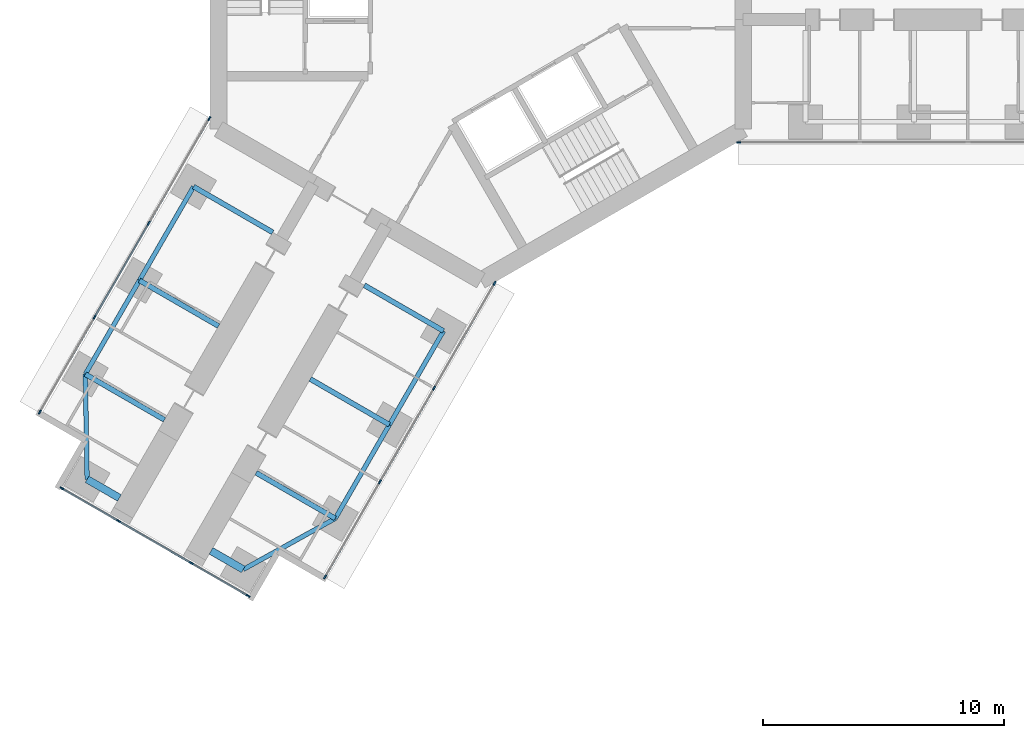
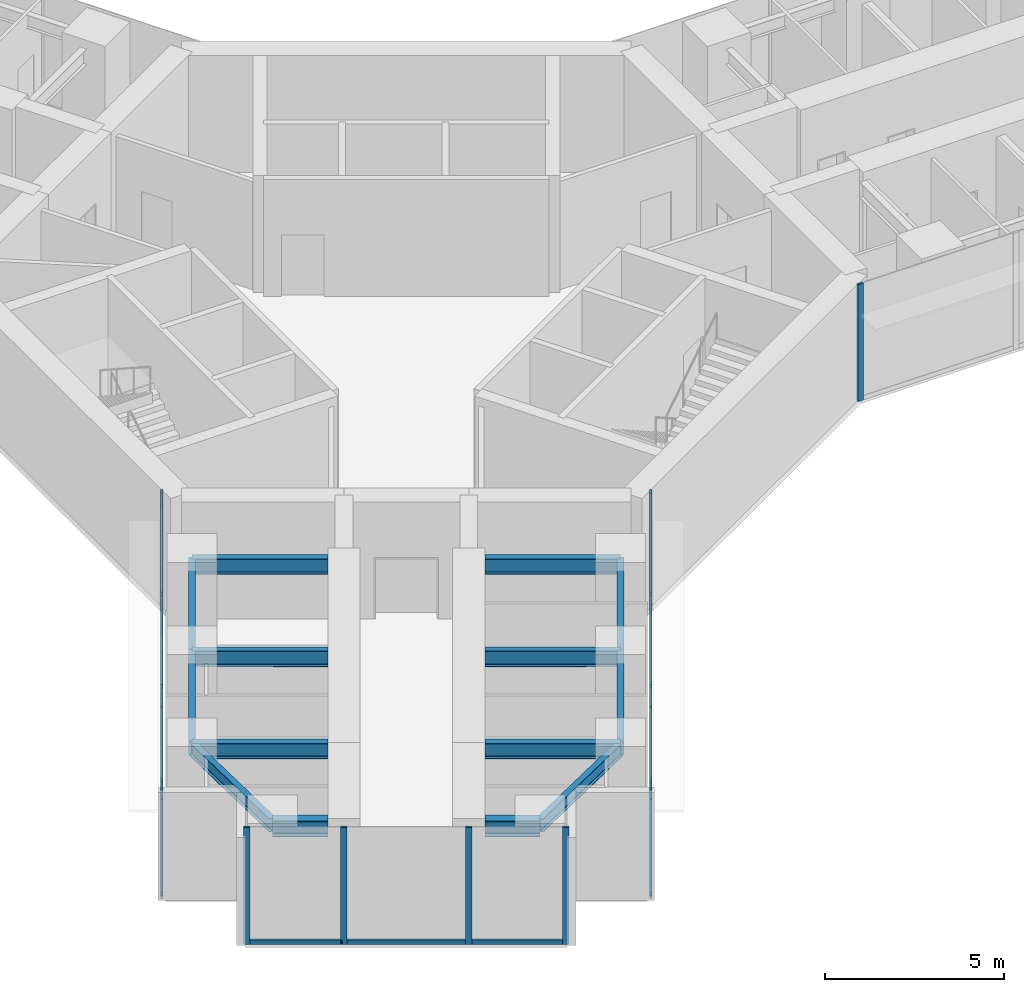
# One storey, part 2 of 25: 22 members, 14 beams, 4 elements without a shape of their own.
"""IFC4 building model written with IfcOpenShell, lengths in metres."""

from ifc_helpers import new_model, si_unit, direction, frame, origin, origin_2d, place, context, subcontext, project, spatial, rectangle, i_section, extrude, material, material_profile, profile_set, type_object, element, aggregate, save


model = new_model("IFC4")

# Units and contexts
model_context = context("Model", 3, precision=1e-05, world=origin(), true_north=direction((0.0, 1.0)))
body_context = subcontext(model_context, "Body", "Model", "MODEL_VIEW")
ifc_project = project(units=[si_unit("LENGTHUNIT", "METRE"), si_unit("AREAUNIT", "SQUARE_METRE"), si_unit("VOLUMEUNIT", "CUBIC_METRE"), si_unit("PLANEANGLEUNIT", "RADIAN"), si_unit("MASSUNIT", "GRAM", prefix="KILO")], contexts=[model_context])

# Site, building, storey
site_placement = place(None, origin())
site = spatial("IfcSite", under=ifc_project, at=site_placement, CompositionType="ELEMENT")
building_placement = place(site_placement, origin())
building = spatial("IfcBuilding", under=site, at=building_placement, Name="Upepo Twin Towers", CompositionType="ELEMENT")
storey_placement = place(building_placement, frame((0.0, 0.0, 88.5)))
storey = spatial("IfcBuildingStorey", under=building, at=storey_placement, Name="L21", CompositionType="ELEMENT", Elevation=88.5)

# Beams
ifc_material_1 = material(Name="Steel S355", Category="steel")
ifc_material_profile_1 = material_profile(ifc_material_1, i_section(OverallWidth=0.1904296875, OverallDepth=0.45703125, WebThickness=0.009033203125, FlangeThickness=0.014404296875, FilletRadius=0.01025390625, at=origin_2d()), Name="UB 457x191x74")
ifc_profile_set_1 = profile_set([ifc_material_profile_1], Name="Steel S355")
beam_type_1 = type_object("IfcBeamType", Name="Beam UB 457x191x74", PredefinedType="BEAM", material=ifc_profile_set_1)
beam_1_placement = place(storey_placement, frame((-1.553955078125, -14.69140625, 3.471435546875), z_axis=(-0.500013631625, -0.866017533419, 0.0), x_axis=(0.866017533419, -0.500013631625, 0.0)))
element("IfcBeam", 1, at=beam_1_placement, inside=storey, type_object=beam_type_1, Name="T1 edge beam CL 13.5-18.0", PredefinedType="BEAM", context=body_context, shape_type="SweptSolid", body=[
    extrude(i_section(OverallWidth=0.1904296875, OverallDepth=0.45703125, WebThickness=0.009033203125, FlangeThickness=0.014404296875, FilletRadius=0.01025390625, at=origin_2d()), origin(), (0.0, 0.0, 1.0), 4.499755859375),
])
beam_2_placement = place(storey_placement, frame((-3.803955078125, -18.58837890625, 3.471435546875), z_axis=(-0.499990139034, -0.866031096941, 0.0), x_axis=(0.866031096941, -0.499990139034, 0.0)))
element("IfcBeam", 2, at=beam_2_placement, inside=storey, type_object=beam_type_1, Name="T1 edge beam CL 18.0-22.5", PredefinedType="BEAM", context=body_context, shape_type="SweptSolid", body=[
    extrude(i_section(OverallWidth=0.1904296875, OverallDepth=0.45703125, WebThickness=0.009033203125, FlangeThickness=0.014404296875, FilletRadius=0.01025390625, at=origin_2d()), origin(), (0.0, 0.0, 1.0), 4.5),
])
beam_3_placement = place(storey_placement, frame((-6.053955078125, -22.485595703125, 3.471435546875), z_axis=(-0.874312600038, -0.485363242752, 0.0), x_axis=(0.485363242752, -0.874312600038, 0.0)))
element("IfcBeam", 3, at=beam_3_placement, inside=storey, type_object=beam_type_1, Name="T1 nose edge beam CL", PredefinedType="BEAM", context=body_context, shape_type="SweptSolid", body=[
    extrude(i_section(OverallWidth=0.1904296875, OverallDepth=0.45703125, WebThickness=0.009033203125, FlangeThickness=0.014404296875, FilletRadius=0.01025390625, at=origin_2d()), origin(), (0.0, 0.0, 1.0), 4.373046875),
])
beam_4_placement = place(storey_placement, frame((-11.946044921875, -8.69140625, 3.471435546875), z_axis=(-0.500013631625, -0.866017533419, 0.0), x_axis=(0.866017533419, -0.500013631625, 0.0)))
element("IfcBeam", 4, at=beam_4_placement, inside=storey, type_object=beam_type_1, Name="T1 edge beam CR 13.5-18.0", PredefinedType="BEAM", context=body_context, shape_type="SweptSolid", body=[
    extrude(i_section(OverallWidth=0.1904296875, OverallDepth=0.45703125, WebThickness=0.009033203125, FlangeThickness=0.014404296875, FilletRadius=0.01025390625, at=origin_2d()), origin(), (0.0, 0.0, 1.0), 4.499755859375),
])
beam_5_placement = place(storey_placement, frame((-14.196044921875, -12.58837890625, 3.471435546875), z_axis=(-0.499990139034, -0.866031096941, 0.0), x_axis=(0.866031096941, -0.499990139034, 0.0)))
element("IfcBeam", 5, at=beam_5_placement, inside=storey, type_object=beam_type_1, Name="T1 edge beam CR 18.0-22.5", PredefinedType="BEAM", context=body_context, shape_type="SweptSolid", body=[
    extrude(i_section(OverallWidth=0.1904296875, OverallDepth=0.45703125, WebThickness=0.009033203125, FlangeThickness=0.014404296875, FilletRadius=0.01025390625, at=origin_2d()), origin(), (0.0, 0.0, 1.0), 4.5),
])
beam_6_placement = place(storey_placement, frame((-16.446044921875, -16.485595703125, 3.471435546875), z_axis=(0.016803880528, -0.999858804832, 0.0), x_axis=(0.999858804832, 0.016803880528, 0.0)))
element("IfcBeam", 6, at=beam_6_placement, inside=storey, type_object=beam_type_1, Name="T1 nose edge beam CR", PredefinedType="BEAM", context=body_context, shape_type="SweptSolid", body=[
    extrude(i_section(OverallWidth=0.1904296875, OverallDepth=0.45703125, WebThickness=0.009033203125, FlangeThickness=0.014404296875, FilletRadius=0.01025390625, at=origin_2d()), origin(), (0.0, 0.0, 1.0), 4.373291015625),
])
ifc_material_2 = material(Name="Steel S355", Category="steel")
ifc_material_profile_2 = material_profile(ifc_material_2, i_section(OverallWidth=0.209228515625, OverallDepth=0.533203125, WebThickness=0.010009765625, FlangeThickness=0.015625, FilletRadius=0.0126953125, at=origin_2d()), Name="UB 533x210x92")
ifc_profile_set_2 = profile_set([ifc_material_profile_2], Name="Steel S355")
beam_type_2 = type_object("IfcBeamType", Name="Beam UB 533x210x92", PredefinedType="BEAM", material=ifc_profile_set_2)
beam_7_placement = place(storey_placement, frame((-1.553955078125, -14.69140625, 3.433349609375), z_axis=(-0.866000483506, 0.500043160704, 0.0), x_axis=(-0.500043160704, -0.866000483506, 0.0)))
element("IfcBeam", 7, at=beam_7_placement, inside=storey, type_object=beam_type_2, Name="T1 girder CL at 13.5", PredefinedType="BEAM", context=body_context, shape_type="SweptSolid", body=[
    extrude(i_section(OverallWidth=0.209228515625, OverallDepth=0.533203125, WebThickness=0.010009765625, FlangeThickness=0.015625, FilletRadius=0.0126953125, at=origin_2d()), origin(), (0.0, 0.0, 1.0), 3.800048828125),
])
for number, where, z_axis, x_axis, name in (
    (8, (-3.803955078125, -18.58837890625, 3.433349609375), (-0.866028304915, 0.499994975061, 0.0), (-0.499994975061, -0.866028304915, 0.0), "T1 girder CL at 18.0"),
    (9, (-6.053955078125, -22.485595703125, 3.433349609375), (-0.866028304915, 0.499994975061, 0.0), (-0.499994975061, -0.866028304915, 0.0), "T1 girder CL at 22.5"),
    (10, (-11.946044921875, -8.69140625, 3.433349609375), (0.866028304915, -0.499994975061, 0.0), (0.499994975061, 0.866028304915, 0.0), "T1 girder CR at 13.5"),
):
    element("IfcBeam", number, at=place(storey_placement, frame(where, z_axis=z_axis, x_axis=x_axis)), inside=storey, type_object=beam_type_2, Name=name, PredefinedType="BEAM", context=body_context, shape_type="SweptSolid", body=[
        extrude(i_section(OverallWidth=0.209228515625, OverallDepth=0.533203125, WebThickness=0.010009765625, FlangeThickness=0.015625, FilletRadius=0.0126953125, at=origin_2d()), origin(), (0.0, 0.0, 1.0), 3.7998046875),
    ])
beam_8_placement = place(storey_placement, frame((-14.196044921875, -12.58837890625, 3.433349609375), z_axis=(0.866000483506, -0.500043160704, 0.0), x_axis=(0.500043160704, 0.866000483506, 0.0)))
element("IfcBeam", 11, at=beam_8_placement, inside=storey, type_object=beam_type_2, Name="T1 girder CR at 18.0", PredefinedType="BEAM", context=body_context, shape_type="SweptSolid", body=[
    extrude(i_section(OverallWidth=0.209228515625, OverallDepth=0.533203125, WebThickness=0.010009765625, FlangeThickness=0.015625, FilletRadius=0.0126953125, at=origin_2d()), origin(), (0.0, 0.0, 1.0), 3.800048828125),
])
beam_9_placement = place(storey_placement, frame((-16.446044921875, -16.485595703125, 3.433349609375), z_axis=(0.866028304915, -0.499994975061, 0.0), x_axis=(0.499994975061, 0.866028304915, 0.0)))
element("IfcBeam", 12, at=beam_9_placement, inside=storey, type_object=beam_type_2, Name="T1 girder CR at 22.5", PredefinedType="BEAM", context=body_context, shape_type="SweptSolid", body=[
    extrude(i_section(OverallWidth=0.209228515625, OverallDepth=0.533203125, WebThickness=0.010009765625, FlangeThickness=0.015625, FilletRadius=0.0126953125, at=origin_2d()), origin(), (0.0, 0.0, 1.0), 3.7998046875),
])
ifc_material_3 = material(Name="Steel S355", Category="steel")
ifc_material_profile_3 = material_profile(ifc_material_3, i_section(OverallWidth=0.31201171875, OverallDepth=0.54345703125, WebThickness=0.0126953125, FlangeThickness=0.020263671875, FilletRadius=0.0126953125, at=origin_2d()), Name="UB 533x312x150")
ifc_profile_set_3 = profile_set([ifc_material_profile_3], Name="Steel S355")
beam_type_3 = type_object("IfcBeamType", Name="Beam UB 533x312x150", PredefinedType="BEAM", material=ifc_profile_set_3)
for number, where, z_axis, x_axis, name in (
    (13, (-9.87744140625, -24.608154296875, 3.42822265625), (-0.866043940782, 0.499967891604, 0.0), (-0.499967891604, -0.866043940782, 0.0), "T1 nose beam CL"),
    (14, (-16.37255859375, -20.858154296875, 3.42822265625), (0.866043940782, -0.499967891604, 0.0), (0.499967891604, 0.866043940782, 0.0), "T1 nose beam CR"),
):
    element("IfcBeam", number, at=place(storey_placement, frame(where, z_axis=z_axis, x_axis=x_axis)), inside=storey, type_object=beam_type_3, Name=name, PredefinedType="BEAM", context=body_context, shape_type="SweptSolid", body=[
        extrude(i_section(OverallWidth=0.31201171875, OverallDepth=0.54345703125, WebThickness=0.0126953125, FlangeThickness=0.020263671875, FilletRadius=0.0126953125, at=origin_2d()), origin(), (0.0, 0.0, 1.0), 1.5498046875),
    ])

# Curtain wall, member
ifc_material_4 = material(Name="Aluminium and fritted glass", Category="aluminium")
curtain_wall_type = type_object("IfcCurtainWallType", Name="Tower curtain wall TW1, fritted glass", PredefinedType="NOTDEFINED", material=ifc_material_4)
curtain_wall_1_placement = place(storey_placement, origin())
curtain_wall_1 = element("IfcCurtainWall", 15, at=curtain_wall_1_placement, inside=storey, type_object=curtain_wall_type, Name="T1 L21 wing A flank R curtain wall", PredefinedType="NOTDEFINED")
ifc_material_5 = material(Name="Aluminium mullion", Category="aluminium")
ifc_material_profile_4 = material_profile(ifc_material_5, rectangle(XDim=0.06494140625, YDim=0.179931640625, at=origin_2d()), Name="MULLION 65x180")
ifc_profile_set_4 = profile_set([ifc_material_profile_4], Name="Aluminium mullion")
member_type_1 = type_object("IfcMemberType", Name="Mullion 65x180 TW1", PredefinedType="MULLION", material=ifc_profile_set_4)
member_1_placement = place(storey_placement, frame((10.7197265625, -6.85009765625, 0.0), z_axis=(0.0, 0.0, 1.0), x_axis=(0.0, -1.0, 0.0)))
member_1 = element("IfcMember", 16, at=member_1_placement, type_object=member_type_1, Name="T1 L21 wing A flank R curtain wall mullion 4", PredefinedType="MULLION", context=body_context, shape_type="SweptSolid", body=[
    extrude(rectangle(XDim=0.06494140625, YDim=0.179931640625, at=origin_2d()), origin(), (0.0, 0.0, 1.0), 4.0),
])
aggregate(curtain_wall_1, [member_1])

# Curtain wall, members
curtain_wall_2_placement = place(storey_placement, origin())
curtain_wall_2 = element("IfcCurtainWall", 17, at=curtain_wall_2_placement, inside=storey, type_object=curtain_wall_type, Name="T1 L21 wing C flank L curtain wall", PredefinedType="NOTDEFINED")
member_2_placement = place(storey_placement, frame((0.572509765625, -12.70849609375, 0.0), z_axis=(0.0, 0.0, 1.0), x_axis=(0.866025389682, -0.500000024426, 0.0)))
member_2 = element("IfcMember", 18, at=member_2_placement, type_object=member_type_1, Name="T1 L21 wing C flank L curtain wall mullion 1", PredefinedType="MULLION", context=body_context, shape_type="SweptSolid", body=[
    extrude(rectangle(XDim=0.06494140625, YDim=0.179931640625, at=origin_2d()), origin(), (0.0, 0.0, 1.0), 4.0),
])
member_3_placement = place(storey_placement, frame((-1.942626953125, -17.06494140625, 0.0), z_axis=(0.0, 0.0, 1.0), x_axis=(0.866025389682, -0.500000024426, 0.0)))
member_3 = element("IfcMember", 19, at=member_3_placement, type_object=member_type_1, Name="T1 L21 wing C flank L curtain wall mullion 2", PredefinedType="MULLION", context=body_context, shape_type="SweptSolid", body=[
    extrude(rectangle(XDim=0.06494140625, YDim=0.179931640625, at=origin_2d()), origin(), (0.0, 0.0, 1.0), 4.0),
])
member_4_placement = place(storey_placement, frame((-4.192626953125, -20.9619140625, 0.0), z_axis=(0.0, 0.0, 1.0), x_axis=(0.866025389682, -0.500000024426, 0.0)))
member_4 = element("IfcMember", 20, at=member_4_placement, type_object=member_type_1, Name="T1 L21 wing C flank L curtain wall mullion 3", PredefinedType="MULLION", context=body_context, shape_type="SweptSolid", body=[
    extrude(rectangle(XDim=0.06494140625, YDim=0.179931640625, at=origin_2d()), origin(), (0.0, 0.0, 1.0), 4.0),
])
member_5_placement = place(storey_placement, frame((-6.4765625, -24.91748046875, 0.0), z_axis=(0.0, 0.0, 1.0), x_axis=(0.866025389682, -0.500000024426, 0.0)))
member_5 = element("IfcMember", 21, at=member_5_placement, type_object=member_type_1, Name="T1 L21 wing C flank L curtain wall mullion 4", PredefinedType="MULLION", context=body_context, shape_type="SweptSolid", body=[
    extrude(rectangle(XDim=0.06494140625, YDim=0.179931640625, at=origin_2d()), origin(), (0.0, 0.0, 1.0), 4.0),
])

curtain_wall_3_placement = place(storey_placement, origin())
curtain_wall_3 = element("IfcCurtainWall", 22, at=curtain_wall_3_placement, inside=storey, type_object=curtain_wall_type, Name="T1 L21 wing C flank R curtain wall", PredefinedType="NOTDEFINED")
member_6_placement = place(storey_placement, frame((-18.341064453125, -18.067626953125, 0.0), z_axis=(0.0, 0.0, 1.0), x_axis=(-0.866025389682, 0.500000024426, 0.0)))
member_6 = element("IfcMember", 23, at=member_6_placement, type_object=member_type_1, Name="T1 L21 wing C flank R curtain wall mullion 1", PredefinedType="MULLION", context=body_context, shape_type="SweptSolid", body=[
    extrude(rectangle(XDim=0.06494140625, YDim=0.179931640625, at=origin_2d()), origin(), (0.0, 0.0, 1.0), 4.0),
])
member_7_placement = place(storey_placement, frame((-16.057373046875, -14.112060546875, 0.0), z_axis=(0.0, 0.0, 1.0), x_axis=(-0.866025389682, 0.500000024426, 0.0)))
member_7 = element("IfcMember", 24, at=member_7_placement, type_object=member_type_1, Name="T1 L21 wing C flank R curtain wall mullion 2", PredefinedType="MULLION", context=body_context, shape_type="SweptSolid", body=[
    extrude(rectangle(XDim=0.06494140625, YDim=0.179931640625, at=origin_2d()), origin(), (0.0, 0.0, 1.0), 4.0),
])
member_8_placement = place(storey_placement, frame((-13.807373046875, -10.21484375, 0.0), z_axis=(0.0, 0.0, 1.0), x_axis=(-0.866025389682, 0.500000024426, 0.0)))
member_8 = element("IfcMember", 25, at=member_8_placement, type_object=member_type_1, Name="T1 L21 wing C flank R curtain wall mullion 3", PredefinedType="MULLION", context=body_context, shape_type="SweptSolid", body=[
    extrude(rectangle(XDim=0.06494140625, YDim=0.179931640625, at=origin_2d()), origin(), (0.0, 0.0, 1.0), 4.0),
])
member_9_placement = place(storey_placement, frame((-11.2919921875, -5.8583984375, 0.0), z_axis=(0.0, 0.0, 1.0), x_axis=(-0.866025389682, 0.500000024426, 0.0)))
member_9 = element("IfcMember", 26, at=member_9_placement, type_object=member_type_1, Name="T1 L21 wing C flank R curtain wall mullion 4", PredefinedType="MULLION", context=body_context, shape_type="SweptSolid", body=[
    extrude(rectangle(XDim=0.06494140625, YDim=0.179931640625, at=origin_2d()), origin(), (0.0, 0.0, 1.0), 4.0),
])

curtain_wall_4_placement = place(storey_placement, origin())
curtain_wall_4 = element("IfcCurtainWall", 27, at=curtain_wall_4_placement, inside=storey, type_object=curtain_wall_type, Name="T1 L21 wing C nose curtain wall", PredefinedType="NOTDEFINED")
member_10_placement = place(storey_placement, frame((-17.4189453125, -21.235595703125, 0.0), z_axis=(0.0, 0.0, 1.0), x_axis=(0.500000030502, 0.866025386174, 0.0)))
member_10 = element("IfcMember", 28, at=member_10_placement, type_object=member_type_1, Name="T1 L21 wing C nose curtain wall mullion 1", PredefinedType="MULLION", context=body_context, shape_type="SweptSolid", body=[
    extrude(rectangle(XDim=0.06494140625, YDim=0.179931640625, at=origin_2d()), origin(), (0.0, 0.0, 1.0), 4.0),
])
member_11_placement = place(storey_placement, frame((-15.0654296875, -22.59423828125, 0.0), z_axis=(0.0, 0.0, 1.0), x_axis=(0.500000030502, 0.866025386174, 0.0)))
member_11 = element("IfcMember", 29, at=member_11_placement, type_object=member_type_1, Name="T1 L21 wing C nose curtain wall mullion 2", PredefinedType="MULLION", context=body_context, shape_type="SweptSolid", body=[
    extrude(rectangle(XDim=0.06494140625, YDim=0.179931640625, at=origin_2d()), origin(), (0.0, 0.0, 1.0), 4.0),
])
member_12_placement = place(storey_placement, frame((-12.034423828125, -24.34423828125, 0.0), z_axis=(0.0, 0.0, 1.0), x_axis=(0.500000030502, 0.866025386174, 0.0)))
member_12 = element("IfcMember", 30, at=member_12_placement, type_object=member_type_1, Name="T1 L21 wing C nose curtain wall mullion 3", PredefinedType="MULLION", context=body_context, shape_type="SweptSolid", body=[
    extrude(rectangle(XDim=0.06494140625, YDim=0.179931640625, at=origin_2d()), origin(), (0.0, 0.0, 1.0), 4.0),
])
member_13_placement = place(storey_placement, frame((-9.68115234375, -25.703125, 0.0), z_axis=(0.0, 0.0, 1.0), x_axis=(0.500000030502, 0.866025386174, 0.0)))
member_13 = element("IfcMember", 31, at=member_13_placement, type_object=member_type_1, Name="T1 L21 wing C nose curtain wall mullion 4", PredefinedType="MULLION", context=body_context, shape_type="SweptSolid", body=[
    extrude(rectangle(XDim=0.06494140625, YDim=0.179931640625, at=origin_2d()), origin(), (0.0, 0.0, 1.0), 4.0),
])

# Member
ifc_material_6 = material(Name="Aluminium transom", Category="aluminium")
ifc_material_profile_5 = material_profile(ifc_material_6, rectangle(XDim=0.06494140625, YDim=0.14990234375, at=origin_2d()), Name="TRANSOM 65x150")
ifc_profile_set_5 = profile_set([ifc_material_profile_5], Name="Aluminium transom")
member_type_2 = type_object("IfcMemberType", Name="Transom 65x150 TW1", PredefinedType="USERDEFINED", material=ifc_profile_set_5)
member_14_placement = place(storey_placement, frame((0.55615234375, -12.736572265625, 0.074951171875), z_axis=(-0.499983492876, -0.866034933967, 0.0), x_axis=(0.866034933967, -0.499983492876, 0.0)))
member_14 = element("IfcMember", 32, at=member_14_placement, type_object=member_type_2, Name="T1 L21 wing C flank L curtain wall transom 1", ObjectType="TRANSOM", PredefinedType="USERDEFINED", context=body_context, shape_type="SweptSolid", body=[
    extrude(rectangle(XDim=0.06494140625, YDim=0.14990234375, at=origin_2d()), origin(), (0.0, 0.0, 1.0), 4.965576171875),
])

member_15_placement = place(storey_placement, frame((-1.958984375, -17.093017578125, 0.074951171875), z_axis=(-0.500005184116, -0.866022410713, 0.0), x_axis=(0.866022410713, -0.500005184116, 0.0)))
member_15 = element("IfcMember", 33, at=member_15_placement, type_object=member_type_2, Name="T1 L21 wing C flank L curtain wall transom 2", ObjectType="TRANSOM", PredefinedType="USERDEFINED", context=body_context, shape_type="SweptSolid", body=[
    extrude(rectangle(XDim=0.06494140625, YDim=0.14990234375, at=origin_2d()), origin(), (0.0, 0.0, 1.0), 4.43505859375),
])

member_16_placement = place(storey_placement, frame((-4.208984375, -20.990234375, 0.074951171875), z_axis=(-0.500005646842, -0.866022143554, 0.0), x_axis=(0.866022143554, -0.500005646842, 0.0)))
member_16 = element("IfcMember", 34, at=member_16_placement, type_object=member_type_2, Name="T1 L21 wing C flank L curtain wall transom 3", ObjectType="TRANSOM", PredefinedType="USERDEFINED", context=body_context, shape_type="SweptSolid", body=[
    extrude(rectangle(XDim=0.06494140625, YDim=0.14990234375, at=origin_2d()), origin(), (0.0, 0.0, 1.0), 4.50244140625),
])

aggregate(curtain_wall_2, [member_2, member_3, member_4, member_5, member_14, member_15, member_16])

member_17_placement = place(storey_placement, frame((-18.32470703125, -18.03955078125, 0.074951171875), z_axis=(0.499982167615, 0.866035699072, 0.0), x_axis=(-0.866035699072, 0.499982167615, 0.0)))
member_17 = element("IfcMember", 35, at=member_17_placement, type_object=member_type_2, Name="T1 L21 wing C flank R curtain wall transom 1", ObjectType="TRANSOM", PredefinedType="USERDEFINED", context=body_context, shape_type="SweptSolid", body=[
    extrude(rectangle(XDim=0.06494140625, YDim=0.14990234375, at=origin_2d()), origin(), (0.0, 0.0, 1.0), 4.502685546875),
])

member_18_placement = place(storey_placement, frame((-16.041015625, -14.083984375, 0.074951171875), z_axis=(0.500005184116, 0.866022410713, 0.0), x_axis=(-0.866022410713, 0.500005184116, 0.0)))
member_18 = element("IfcMember", 36, at=member_18_placement, type_object=member_type_2, Name="T1 L21 wing C flank R curtain wall transom 2", ObjectType="TRANSOM", PredefinedType="USERDEFINED", context=body_context, shape_type="SweptSolid", body=[
    extrude(rectangle(XDim=0.06494140625, YDim=0.14990234375, at=origin_2d()), origin(), (0.0, 0.0, 1.0), 4.43505859375),
])

member_19_placement = place(storey_placement, frame((-13.791015625, -10.186767578125, 0.074951171875), z_axis=(0.50000478328, 0.866022642139, 0.0), x_axis=(-0.866022642139, 0.50000478328, 0.0)))
member_19 = element("IfcMember", 37, at=member_19_placement, type_object=member_type_2, Name="T1 L21 wing C flank R curtain wall transom 3", ObjectType="TRANSOM", PredefinedType="USERDEFINED", context=body_context, shape_type="SweptSolid", body=[
    extrude(rectangle(XDim=0.06494140625, YDim=0.14990234375, at=origin_2d()), origin(), (0.0, 0.0, 1.0), 4.96533203125),
])

aggregate(curtain_wall_3, [member_6, member_7, member_8, member_9, member_17, member_18, member_19])

member_20_placement = place(storey_placement, frame((-17.390869140625, -21.251708984375, 0.074951171875), z_axis=(0.865997053448, -0.500049101008, 0.0), x_axis=(0.500049101008, 0.865997053448, 0.0)))
member_20 = element("IfcMember", 38, at=member_20_placement, type_object=member_type_2, Name="T1 L21 wing C nose curtain wall transom 1", ObjectType="TRANSOM", PredefinedType="USERDEFINED", context=body_context, shape_type="SweptSolid", body=[
    extrude(rectangle(XDim=0.06494140625, YDim=0.14990234375, at=origin_2d()), origin(), (0.0, 0.0, 1.0), 2.652587890625),
])

member_21_placement = place(storey_placement, frame((-15.037353515625, -22.610595703125, 0.074951171875), z_axis=(0.866025804792, -0.499999305434, 0.0), x_axis=(0.499999305434, 0.866025804792, 0.0)))
member_21 = element("IfcMember", 39, at=member_21_placement, type_object=member_type_2, Name="T1 L21 wing C nose curtain wall transom 2", ObjectType="TRANSOM", PredefinedType="USERDEFINED", context=body_context, shape_type="SweptSolid", body=[
    extrude(rectangle(XDim=0.06494140625, YDim=0.14990234375, at=origin_2d()), origin(), (0.0, 0.0, 1.0), 3.43505859375),
])

member_22_placement = place(storey_placement, frame((-12.00634765625, -24.360595703125, 0.074951171875), z_axis=(0.866036909293, -0.499980071345, 0.0), x_axis=(0.499980071345, 0.866036909293, 0.0)))
member_22 = element("IfcMember", 40, at=member_22_placement, type_object=member_type_2, Name="T1 L21 wing C nose curtain wall transom 3", ObjectType="TRANSOM", PredefinedType="USERDEFINED", context=body_context, shape_type="SweptSolid", body=[
    extrude(rectangle(XDim=0.06494140625, YDim=0.14990234375, at=origin_2d()), origin(), (0.0, 0.0, 1.0), 2.65234375),
])

aggregate(curtain_wall_4, [member_10, member_11, member_12, member_13, member_20, member_21, member_22])

save(model, "model.ifc")
